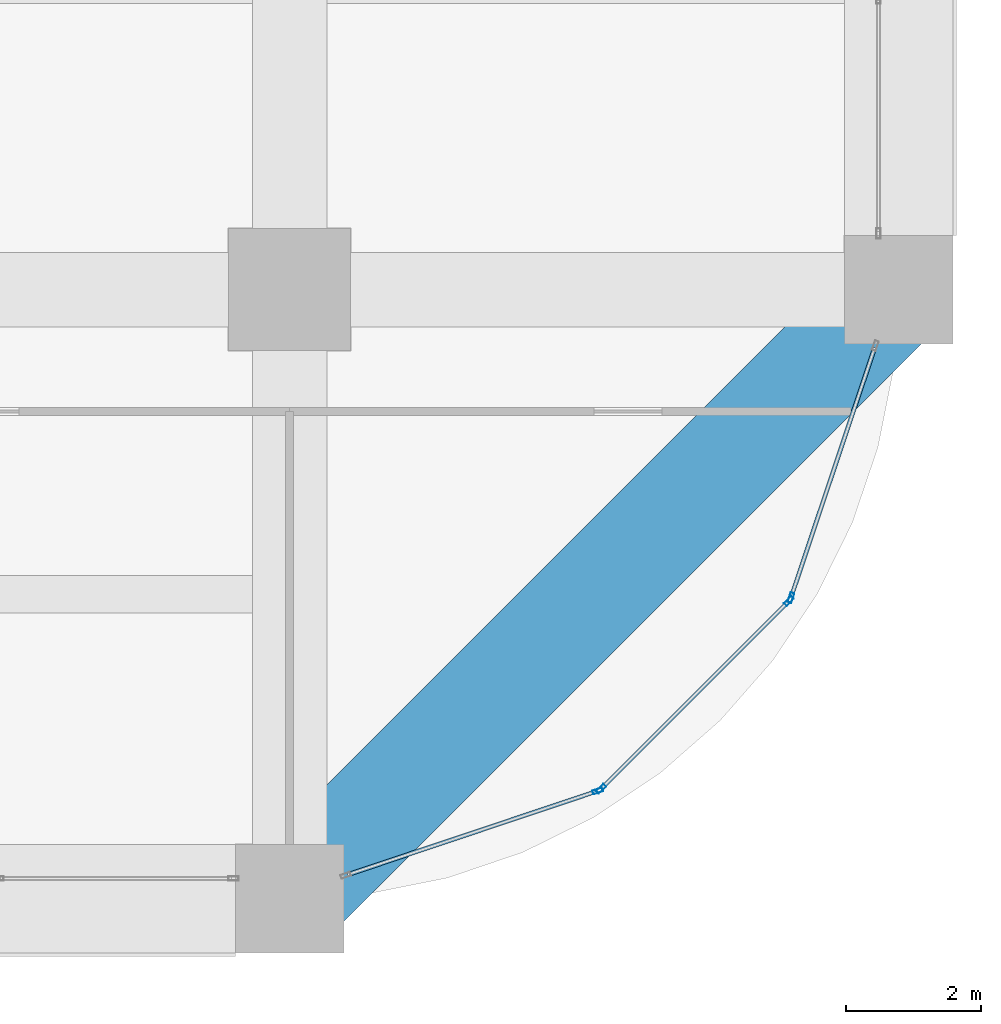
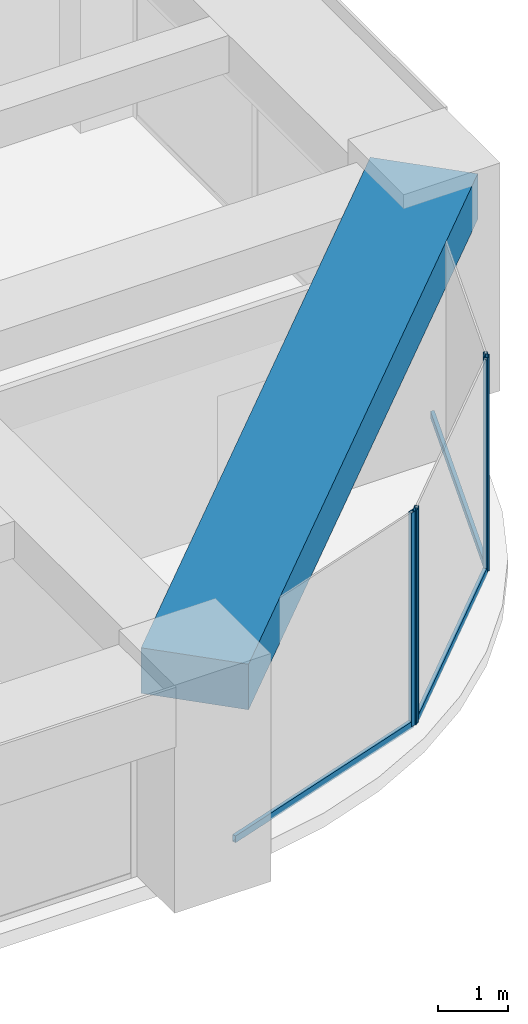
# One storey, part 17 of 42: 7 members, 1 beam, 3 elements without a shape of their own.
"""IFC4 building model written with IfcOpenShell, lengths in metres."""

from ifc_helpers import new_model, si_unit, direction, frame, origin, origin_2d, place, context, subcontext, project, spatial, rectangle, hollow_rectangle, extrude, material, material_profile, profile_set, type_object, element, aggregate, save


model = new_model("IFC4")

# Units and contexts
model_context = context("Model", 3, precision=1e-05, world=origin(), true_north=direction((0.0, 1.0)))
body_context = subcontext(model_context, "Body", "Model", "MODEL_VIEW")
ifc_project = project(units=[si_unit("LENGTHUNIT", "METRE"), si_unit("AREAUNIT", "SQUARE_METRE"), si_unit("VOLUMEUNIT", "CUBIC_METRE"), si_unit("PLANEANGLEUNIT", "RADIAN"), si_unit("MASSUNIT", "GRAM", prefix="KILO")], contexts=[model_context])

# Site, building, storey
site_placement = place(None, origin())
site = spatial("IfcSite", under=ifc_project, at=site_placement, CompositionType="ELEMENT")
building_placement = place(site_placement, origin())
building = spatial("IfcBuilding", under=site, at=building_placement, Name="Zorevar Civic Tower", CompositionType="ELEMENT")
storey_placement = place(building_placement, frame((0.0, 0.0, 149.0)))
storey = spatial("IfcBuildingStorey", under=building, at=storey_placement, Name="L36", CompositionType="ELEMENT", Elevation=149.0)

# Curtain wall, member
ifc_material_1 = material(Name="Dark grey solar-control glass in black aluminium frame", Category="aluminium")
curtain_wall_type = type_object("IfcCurtainWallType", Name="Curtain wall CW3 mid zone", PredefinedType="NOTDEFINED", material=ifc_material_1)
curtain_wall_1_placement = place(storey_placement, origin())
curtain_wall_1 = element("IfcCurtainWall", 1, at=curtain_wall_1_placement, inside=storey, type_object=curtain_wall_type, Name="CW3 L36", PredefinedType="NOTDEFINED")
ifc_material_2 = material(Name="Aluminium, black anodised", Category="aluminium")
ifc_material_profile_1 = material_profile(ifc_material_2, hollow_rectangle(XDim=0.06005859375, YDim=0.14990234375, WallThickness=0.00390625, at=origin_2d()), Name="AL 150x60x4")
ifc_profile_set_1 = profile_set([ifc_material_profile_1], Name="Aluminium, black anodised")
member_type_1 = type_object("IfcMemberType", Name="CW3 mullion AL 150x60x4", PredefinedType="MULLION", material=ifc_profile_set_1)
member_1_placement = place(storey_placement, frame((58.55078125, 1.59326171875, 0.0), z_axis=(0.0, 0.0, 1.0), x_axis=(-0.317592669603, 0.948227238701, 0.0)))
member_1 = element("IfcMember", 2, at=member_1_placement, type_object=member_type_1, Name="CW3 mullion 2", PredefinedType="MULLION", context=body_context, shape_type="SweptSolid", body=[
    extrude(hollow_rectangle(XDim=0.06005859375, YDim=0.14990234375, WallThickness=0.00390625, at=origin_2d()), origin(), (0.0, 0.0, 1.0), 3.75),
])

# Curtain wall, members
curtain_wall_2_placement = place(storey_placement, origin())
curtain_wall_2 = element("IfcCurtainWall", 3, at=curtain_wall_2_placement, inside=storey, type_object=curtain_wall_type, Name="CW3 L36", PredefinedType="NOTDEFINED")
member_2_placement = place(storey_placement, frame((58.600341796875, 1.6240234375, 0.0), z_axis=(0.0, 0.0, 1.0), x_axis=(-0.707106781187, 0.707106781187, 0.0)))
member_2 = element("IfcMember", 4, at=member_2_placement, type_object=member_type_1, Name="CW3 mullion 1", PredefinedType="MULLION", context=body_context, shape_type="SweptSolid", body=[
    extrude(hollow_rectangle(XDim=0.06005859375, YDim=0.14990234375, WallThickness=0.00390625, at=origin_2d()), origin(), (0.0, 0.0, 1.0), 3.75),
])
member_3_placement = place(storey_placement, frame((61.3759765625, 4.399658203125, 0.0), z_axis=(0.0, 0.0, 1.0), x_axis=(-0.707106781187, 0.707106781187, 0.0)))
member_3 = element("IfcMember", 5, at=member_3_placement, type_object=member_type_1, Name="CW3 mullion 2", PredefinedType="MULLION", context=body_context, shape_type="SweptSolid", body=[
    extrude(hollow_rectangle(XDim=0.06005859375, YDim=0.14990234375, WallThickness=0.00390625, at=origin_2d()), origin(), (0.0, 0.0, 1.0), 3.75),
])

# Curtain wall, member
curtain_wall_3_placement = place(storey_placement, origin())
curtain_wall_3 = element("IfcCurtainWall", 6, at=curtain_wall_3_placement, inside=storey, type_object=curtain_wall_type, Name="CW3 L36", PredefinedType="NOTDEFINED")
member_4_placement = place(storey_placement, frame((61.40673828125, 4.44921875, 0.0), z_axis=(0.0, 0.0, 1.0), x_axis=(-0.948227238701, 0.317592669603, 0.0)))
member_4 = element("IfcMember", 7, at=member_4_placement, type_object=member_type_1, Name="CW3 mullion 1", PredefinedType="MULLION", context=body_context, shape_type="SweptSolid", body=[
    extrude(hollow_rectangle(XDim=0.06005859375, YDim=0.14990234375, WallThickness=0.00390625, at=origin_2d()), origin(), (0.0, 0.0, 1.0), 3.75),
])

# Member
ifc_material_3 = material(Name="Aluminium, black anodised", Category="aluminium")
ifc_material_profile_2 = material_profile(ifc_material_3, hollow_rectangle(XDim=0.06005859375, YDim=0.1201171875, WallThickness=0.0029296875, at=origin_2d()), Name="AL 120x60x3")
ifc_profile_set_2 = profile_set([ifc_material_profile_2], Name="Aluminium, black anodised")
member_type_2 = type_object("IfcMemberType", Name="CW3 transom AL 120x60x3", PredefinedType="USERDEFINED", material=ifc_profile_set_2)
member_5_placement = place(storey_placement, frame((54.85693359375, 0.35595703125, 0.030029296875), z_axis=(0.94821488093, 0.317629563458, 0.0), x_axis=(-0.317629563458, 0.94821488093, 0.0)))
member_5 = element("IfcMember", 8, at=member_5_placement, type_object=member_type_2, Name="CW3 sill transom", ObjectType="TRANSOM", PredefinedType="USERDEFINED", context=body_context, shape_type="SweptSolid", body=[
    extrude(hollow_rectangle(XDim=0.06005859375, YDim=0.1201171875, WallThickness=0.0029296875, at=origin_2d()), origin(), (0.0, 0.0, 1.0), 3.865478515625),
])

aggregate(curtain_wall_1, [member_1, member_5])

member_6_placement = place(storey_placement, frame((58.62158203125, 1.64501953125, 0.030029296875), z_axis=(0.707106781187, 0.707106781187, 0.0), x_axis=(-0.707106781187, 0.707106781187, 0.0)))
member_6 = element("IfcMember", 9, at=member_6_placement, type_object=member_type_2, Name="CW3 sill transom", ObjectType="TRANSOM", PredefinedType="USERDEFINED", context=body_context, shape_type="SweptSolid", body=[
    extrude(hollow_rectangle(XDim=0.06005859375, YDim=0.1201171875, WallThickness=0.0029296875, at=origin_2d()), origin(), (0.0, 0.0, 1.0), 3.86572265625),
])

aggregate(curtain_wall_2, [member_2, member_3, member_6])

member_7_placement = place(storey_placement, frame((61.416259765625, 4.477783203125, 0.030029296875), z_axis=(0.317629563458, 0.94821488093, 0.0), x_axis=(-0.94821488093, 0.317629563458, 0.0)))
member_7 = element("IfcMember", 10, at=member_7_placement, type_object=member_type_2, Name="CW3 sill transom", ObjectType="TRANSOM", PredefinedType="USERDEFINED", context=body_context, shape_type="SweptSolid", body=[
    extrude(hollow_rectangle(XDim=0.06005859375, YDim=0.1201171875, WallThickness=0.0029296875, at=origin_2d()), origin(), (0.0, 0.0, 1.0), 3.865478515625),
])

aggregate(curtain_wall_3, [member_4, member_7])

# Beam
ifc_material_4 = material(Name="Concrete C50/60", Category="concrete")
ifc_material_profile_3 = material_profile(ifc_material_4, rectangle(XDim=1.60009765625, YDim=0.800048828125, at=origin_2d()), Name="RC 1600x800")
ifc_profile_set_3 = profile_set([ifc_material_profile_3], Name="Concrete C50/60")
beam_type = type_object("IfcBeamType", Name="Edge beam RC 1600x800", PredefinedType="SPANDREL", material=ifc_profile_set_3)
beam_placement = place(storey_placement, frame((54.0, 0.0, 3.35009765625), z_axis=(0.707106781187, 0.707106781187, 0.0), x_axis=(-0.707106781187, 0.707106781187, 0.0)))
element("IfcBeam", 11, at=beam_placement, inside=storey, type_object=beam_type, Name="Corner edge beam L37", PredefinedType="SPANDREL", context=body_context, shape_type="SweptSolid", body=[
    extrude(rectangle(XDim=1.60009765625, YDim=0.800048828125, at=origin_2d()), origin(), (0.0, 0.0, 1.0), 12.72802734375),
])

save(model, "model.ifc")
